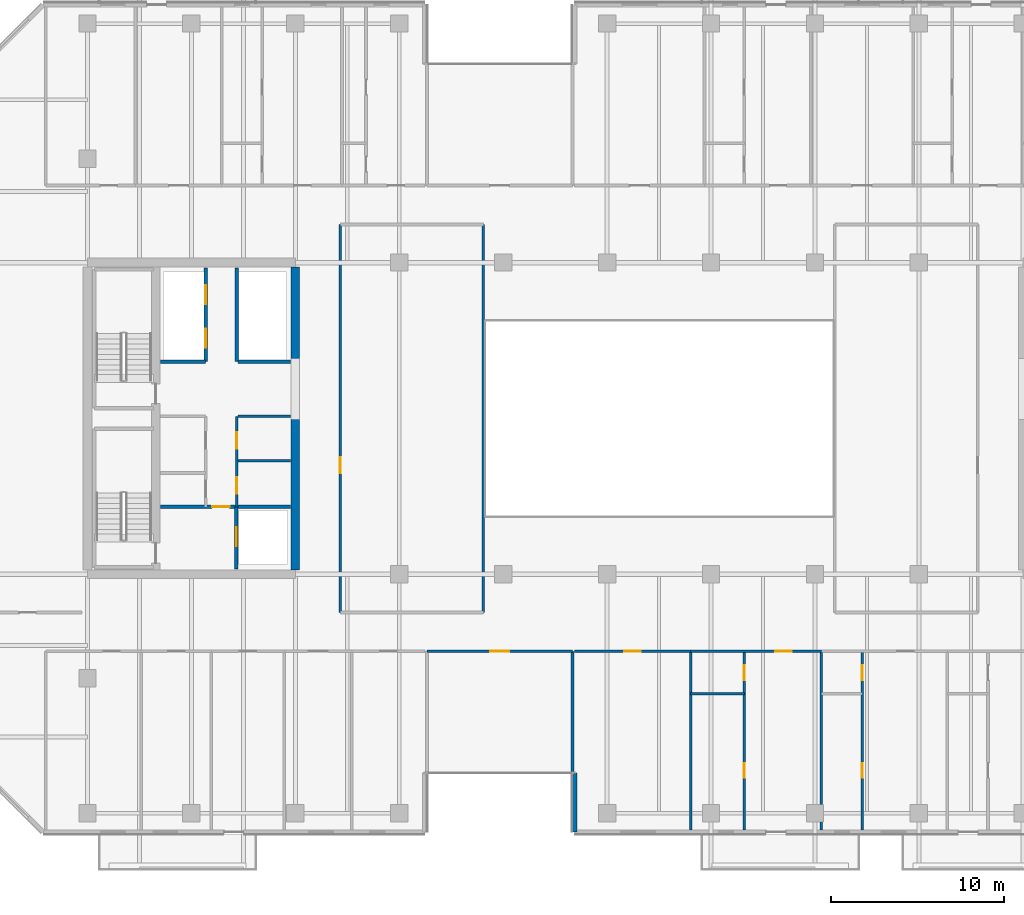
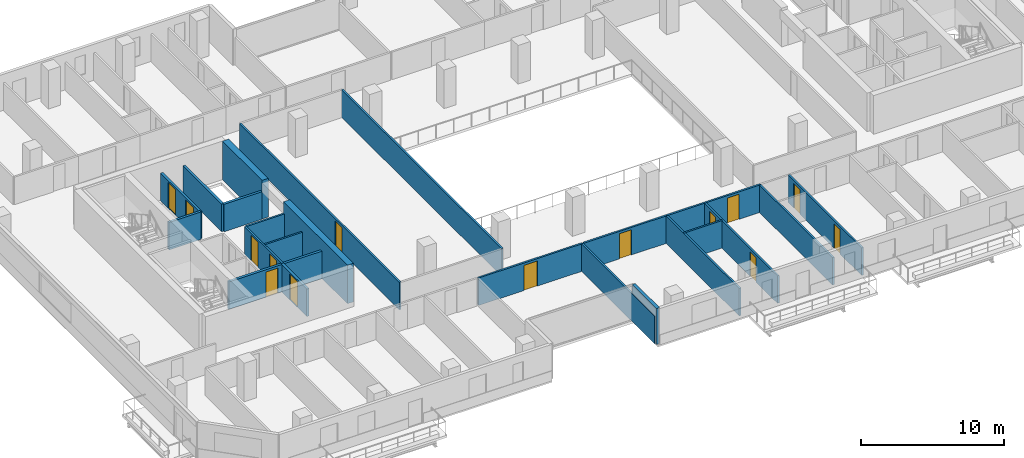
# One storey, part 11 of 23: 23 walls, 14 doors, 14 openings.
"""IFC4 building model written with IfcOpenShell, lengths in metres."""

from ifc_helpers import new_model, si_unit, direction, frame, frame_2d, origin, place, context, subcontext, project, spatial, rectangle, extrude, material, layer, layer_set, type_object, element, fill, save


model = new_model("IFC4")

# Units and contexts
model_context = context("Model", 3, precision=1e-05, world=origin(), true_north=direction((0.0, 1.0)))
body_context = subcontext(model_context, "Body", "Model", "MODEL_VIEW")
ifc_project = project(units=[si_unit("LENGTHUNIT", "METRE"), si_unit("AREAUNIT", "SQUARE_METRE"), si_unit("VOLUMEUNIT", "CUBIC_METRE"), si_unit("PLANEANGLEUNIT", "RADIAN"), si_unit("MASSUNIT", "GRAM", prefix="KILO")], contexts=[model_context])

# Site, building, storey
site_placement = place(None, origin())
site = spatial("IfcSite", under=ifc_project, at=site_placement, CompositionType="ELEMENT")
building_placement = place(site_placement, origin())
building = spatial("IfcBuilding", under=site, at=building_placement, Name="Tanjung Sevakor Pilgrim Tower", CompositionType="ELEMENT")
storey_placement = place(building_placement, frame((0.0, 0.0, 101.969970703125)))
storey = spatial("IfcBuildingStorey", under=building, at=storey_placement, Name="L28", CompositionType="ELEMENT", Elevation=101.969970703125)

# Walls
ifc_material_1 = material(Name="Concrete C60/75", Category="concrete")
ifc_layer_1 = layer(ifc_material_1, 0.5)
ifc_layer_set_1 = layer_set([ifc_layer_1], Name="WALL-CW-500")
wall_type_1 = type_object("IfcWallType", Name="WALL-CW-500", PredefinedType="SHEAR", material=ifc_layer_set_1)
wall_1_placement = place(storey_placement, frame((36.0, 24.85009765625, 0.0), z_axis=(0.0, 0.0, 1.0), x_axis=(0.0, 1.0, 0.0)))
element("IfcWall", 1, at=wall_1_placement, inside=storey, type_object=wall_type_1, Name="L28 W Core Inner Shear Wall South", PredefinedType="SHEAR", context=body_context, shape_type="SweptSolid", body=[
    extrude(rectangle(XDim=8.949951171875, YDim=0.5, at=frame_2d((4.47509765625, 0.0))), origin(), (0.0, 0.0, 1.0), 3.300048828125),
])
wall_2_placement = place(storey_placement, frame((36.0, 36.800048828125, 0.0), z_axis=(0.0, 0.0, 1.0), x_axis=(0.0, 1.0, 0.0)))
element("IfcWall", 2, at=wall_2_placement, inside=storey, type_object=wall_type_1, Name="L28 W Core Inner Shear Wall North", PredefinedType="SHEAR", context=body_context, shape_type="SweptSolid", body=[
    extrude(rectangle(XDim=5.550048828125, YDim=0.5, at=frame_2d((2.77490234375, 0.0))), origin(), (0.0, 0.0, 1.0), 3.300048828125),
])
ifc_material_2 = material(Name="Concrete C40/50", Category="concrete")
ifc_layer_2 = layer(ifc_material_2, 0.14990234375)
ifc_layer_set_2 = layer_set([ifc_layer_2], Name="WT-COMP-150")
wall_type_2 = type_object("IfcWallType", Name="WT-COMP-150", PredefinedType="SOLIDWALL", material=ifc_layer_set_2)
for number, where, z_axis, x_axis, name in (
    (3, (32.679931640625, 31.14990234375, 0.0), (0.0, 0.0, 1.0), (1.0, 0.0, 0.0), "L28 Partition IW-L28-006"),
    (4, (32.679931640625, 33.719970703125, 0.0), (0.0, 0.0, 1.0), (1.0, 0.0, 0.0), "L28 Partition IW-L28-007"),
):
    element("IfcWall", number, at=place(storey_placement, frame(where, z_axis=z_axis, x_axis=x_axis)), inside=storey, type_object=wall_type_2, Name=name, PredefinedType="SOLIDWALL", context=body_context, shape_type="SweptSolid", body=[
        extrude(rectangle(XDim=3.050048828125, YDim=0.14990234375, at=frame_2d((1.52490234375, 0.0))), origin(), (0.0, 0.0, 1.0), 2.35009765625),
    ])

# Wall, openings, doors
wall_3_placement = place(storey_placement, frame((32.6201171875, 28.5, 0.0), z_axis=(0.0, 0.0, 1.0), x_axis=(0.0, 1.0, 0.0)))
wall_3 = element("IfcWall", 5, at=wall_3_placement, inside=storey, type_object=wall_type_2, Name="L28 Partition IW-L28-008", PredefinedType="SOLIDWALL", context=body_context, shape_type="SweptSolid", body=[
    extrude(rectangle(XDim=5.219970703125, YDim=0.14990234375, at=frame_2d((2.60986328125, 0.0))), origin(), (0.0, 0.0, 1.0), 2.35009765625),
])
opening_1_placement = place(wall_3_placement, frame((0.75, 0.0, 0.0)))
opening_1 = element("IfcOpeningElement", 6, at=opening_1_placement, cuts=wall_3, Name="Opening ID-FD2", PredefinedType="OPENING", context=body_context, shape_type="SweptSolid", body=[
    extrude(rectangle(XDim=0.949951171875, YDim=2.14990234375, at=frame_2d((0.47509765625, 1.074951171875))), frame((0.0, 0.0849609375, 0.0), z_axis=(0.0, -1.0, 0.0), x_axis=(1.0, 0.0, 0.0)), (0.0, 0.0, 1.0), 0.169921875),
])
opening_2_placement = place(wall_3_placement, frame((3.35009765625, 0.0, 0.0)))
opening_2 = element("IfcOpeningElement", 7, at=opening_2_placement, cuts=wall_3, Name="Opening ID-FD2", PredefinedType="OPENING", context=body_context, shape_type="SweptSolid", body=[
    extrude(rectangle(XDim=0.949951171875, YDim=2.14990234375, at=frame_2d((0.47509765625, 1.074951171875))), frame((0.0, 0.0849609375, 0.0), z_axis=(0.0, -1.0, 0.0), x_axis=(1.0, 0.0, 0.0)), (0.0, 0.0, 1.0), 0.169921875),
])
ifc_material_3 = material(Name="Fire-Rated Timber", Category="wood")
door_type_1 = type_object("IfcDoorType", Name="DT-FIRE-950", OperationType="NOTDEFINED", PredefinedType="DOOR", material=ifc_material_3)
door_1_placement = place(opening_1_placement, origin())
door_1 = element("IfcDoor", 8, at=door_1_placement, inside=storey, type_object=door_type_1, Name="L28 Accessible WC Door", OperationType="SINGLE_SWING_RIGHT", OverallHeight=2.14990234375, OverallWidth=0.949951171875, PredefinedType="DOOR", context=body_context, shape_type="SweptSolid", body=[
    extrude(rectangle(XDim=0.949951171875, YDim=2.14990234375, at=frame_2d((0.47509765625, 1.074951171875))), frame((0.0, 0.02490234375, 0.0), z_axis=(0.0, -1.0, 0.0), x_axis=(1.0, 0.0, 0.0)), (0.0, 0.0, 1.0), 0.050048828125),
])
fill(opening_1, door_1)
door_2_placement = place(opening_2_placement, origin())
door_2 = element("IfcDoor", 9, at=door_2_placement, inside=storey, type_object=door_type_1, Name="L28 Core Service Door", OperationType="SINGLE_SWING_LEFT", OverallHeight=2.14990234375, OverallWidth=0.949951171875, PredefinedType="DOOR", context=body_context, shape_type="SweptSolid", body=[
    extrude(rectangle(XDim=0.949951171875, YDim=2.14990234375, at=frame_2d((0.47509765625, 1.074951171875))), frame((0.0, 0.02490234375, 0.0), z_axis=(0.0, -1.0, 0.0), x_axis=(1.0, 0.0, 0.0)), (0.0, 0.0, 1.0), 0.050048828125),
])
fill(opening_2, door_2)

# Wall, opening, door
wall_4_placement = place(storey_placement, frame((38.60009765625, 22.39990234375, 0.0), z_axis=(0.0, 0.0, 1.0), x_axis=(0.0, 1.0, 0.0)))
wall_4 = element("IfcWall", 10, at=wall_4_placement, inside=storey, type_object=wall_type_2, Name="L28 Partition IW-L28-027", PredefinedType="SOLIDWALL", context=body_context, shape_type="SweptSolid", body=[
    extrude(rectangle(XDim=22.400146484375, YDim=0.14990234375, at=frame_2d((11.2001953125, 0.0))), origin(), (0.0, 0.0, 1.0), 2.35009765625),
])
opening_3_placement = place(wall_4_placement, frame((8.02490234375, 0.0, 0.0)))
opening_3 = element("IfcOpeningElement", 11, at=opening_3_placement, cuts=wall_4, Name="Opening ID-RM1", PredefinedType="OPENING", context=body_context, shape_type="SweptSolid", body=[
    extrude(rectangle(XDim=0.949951171875, YDim=2.14990234375, at=frame_2d((0.47509765625, 1.074951171875))), frame((0.0, 0.0849609375, 0.0), z_axis=(0.0, -1.0, 0.0), x_axis=(1.0, 0.0, 0.0)), (0.0, 0.0, 1.0), 0.169921875),
])
ifc_material_4 = material(Name="Hardwood Timber", Category="wood")
door_type_2 = type_object("IfcDoorType", Name="DT-INT-950", OperationType="NOTDEFINED", PredefinedType="DOOR", material=ifc_material_4)
door_3_placement = place(opening_3_placement, origin())
door_3 = element("IfcDoor", 12, at=door_3_placement, inside=storey, type_object=door_type_2, Name="L28 Central West Room Door", OperationType="SINGLE_SWING_RIGHT", OverallHeight=2.14990234375, OverallWidth=0.949951171875, PredefinedType="DOOR", context=body_context, shape_type="SweptSolid", body=[
    extrude(rectangle(XDim=0.949951171875, YDim=2.14990234375, at=frame_2d((0.47509765625, 1.074951171875))), frame((0.0, 0.02490234375, 0.0), z_axis=(0.0, -1.0, 0.0), x_axis=(1.0, 0.0, 0.0)), (0.0, 0.0, 1.0), 0.050048828125),
])
fill(opening_3, door_3)

# Wall
wall_5_placement = place(storey_placement, frame((46.85009765625, 22.39990234375, 0.0), z_axis=(0.0, 0.0, 1.0), x_axis=(0.0, 1.0, 0.0)))
element("IfcWall", 13, at=wall_5_placement, inside=storey, type_object=wall_type_2, Name="L28 Partition IW-L28-028", PredefinedType="SOLIDWALL", context=body_context, shape_type="SweptSolid", body=[
    extrude(rectangle(XDim=22.400146484375, YDim=0.14990234375, at=frame_2d((11.2001953125, 0.0))), origin(), (0.0, 0.0, 1.0), 2.35009765625),
])

# Wall, opening, door
wall_6_placement = place(storey_placement, frame((43.60009765625, 20.14990234375, 0.0), z_axis=(0.0, 0.0, 1.0), x_axis=(1.0, 0.0, 0.0)))
wall_6 = element("IfcWall", 14, at=wall_6_placement, inside=storey, type_object=wall_type_2, Name="L28 Partition IW-L28-041", PredefinedType="SOLIDWALL", context=body_context, shape_type="SweptSolid", body=[
    extrude(rectangle(XDim=8.39990234375, YDim=0.14990234375, at=frame_2d((4.199951171875, 0.0))), origin(), (0.0, 0.0, 1.0), 2.35009765625),
])
opening_4_placement = place(wall_6_placement, frame((3.64990234375, 0.0, 0.0)))
opening_4 = element("IfcOpeningElement", 15, at=opening_4_placement, cuts=wall_6, Name="Opening ID-RM2", PredefinedType="OPENING", context=body_context, shape_type="SweptSolid", body=[
    extrude(rectangle(XDim=1.10009765625, YDim=2.14990234375, at=frame_2d((0.550048828125, 1.074951171875))), frame((0.0, 0.0849609375, 0.0), z_axis=(0.0, -1.0, 0.0), x_axis=(1.0, 0.0, 0.0)), (0.0, 0.0, 1.0), 0.169921875),
])
ifc_material_5 = material(Name="Hardwood Timber", Category="wood")
door_type_3 = type_object("IfcDoorType", Name="DT-INT-1100", OperationType="NOTDEFINED", PredefinedType="DOOR", material=ifc_material_5)
door_4_placement = place(opening_4_placement, origin())
door_4 = element("IfcDoor", 16, at=door_4_placement, inside=storey, type_object=door_type_3, Name="L28 South Cleft Tea Sanctuary Door", OperationType="SINGLE_SWING_RIGHT", OverallHeight=2.14990234375, OverallWidth=1.10009765625, PredefinedType="DOOR", context=body_context, shape_type="SweptSolid", body=[
    extrude(rectangle(XDim=1.10009765625, YDim=2.14990234375, at=frame_2d((0.550048828125, 1.074951171875))), frame((0.0, 0.02490234375, 0.0), z_axis=(0.0, -1.0, 0.0), x_axis=(1.0, 0.0, 0.0)), (0.0, 0.0, 1.0), 0.050048828125),
])
fill(opening_4, door_4)

# Walls
for number, where, z_axis, x_axis, name in (
    (17, (52.0, 9.85009765625, 0.0), (0.0, 0.0, 1.0), (0.0, 1.0, 0.0), "L28 Partition IW-L28-043"),
    (18, (58.827880859375, 9.85009765625, 0.0), (0.0, 0.0, 1.0), (0.0, 1.0, 0.0), "L28 Partition IW-L28-058"),
):
    element("IfcWall", number, at=place(storey_placement, frame(where, z_axis=z_axis, x_axis=x_axis)), inside=storey, type_object=wall_type_2, Name=name, PredefinedType="SOLIDWALL", context=body_context, shape_type="SweptSolid", body=[
        extrude(rectangle(XDim=10.2998046875, YDim=0.14990234375, at=frame_2d((5.14990234375, 0.0))), origin(), (0.0, 0.0, 1.0), 2.35009765625),
    ])

# Wall, opening, door
wall_7_placement = place(storey_placement, frame((52.1201171875, 20.14990234375, 0.0), z_axis=(0.0, 0.0, 1.0), x_axis=(1.0, 0.0, 0.0)))
wall_7 = element("IfcWall", 19, at=wall_7_placement, inside=storey, type_object=wall_type_2, Name="L28 Partition IW-L28-059", PredefinedType="SOLIDWALL", context=body_context, shape_type="SweptSolid", body=[
    extrude(rectangle(XDim=6.707763671875, YDim=0.14990234375, at=frame_2d((3.35400390625, 0.0))), origin(), (0.0, 0.0, 1.0), 2.35009765625),
])
opening_5_placement = place(wall_7_placement, frame((2.87890625, 0.0, 0.0)))
opening_5 = element("IfcOpeningElement", 20, at=opening_5_placement, cuts=wall_7, Name="Opening ID-FD2", PredefinedType="OPENING", context=body_context, shape_type="SweptSolid", body=[
    extrude(rectangle(XDim=0.949951171875, YDim=2.14990234375, at=frame_2d((0.47509765625, 1.074951171875))), frame((0.0, 0.0849609375, 0.0), z_axis=(0.0, -1.0, 0.0), x_axis=(1.0, 0.0, 0.0)), (0.0, 0.0, 1.0), 0.169921875),
])
door_5_placement = place(opening_5_placement, origin())
door_5 = element("IfcDoor", 21, at=door_5_placement, inside=storey, type_object=door_type_1, Name="Housekeeping Pantry Door", OperationType="SINGLE_SWING_LEFT", OverallHeight=2.14990234375, OverallWidth=0.949951171875, PredefinedType="DOOR", context=body_context, shape_type="SweptSolid", body=[
    extrude(rectangle(XDim=0.949951171875, YDim=2.14990234375, at=frame_2d((0.47509765625, 1.074951171875))), frame((0.0, 0.02490234375, 0.0), z_axis=(0.0, -1.0, 0.0), x_axis=(1.0, 0.0, 0.0)), (0.0, 0.0, 1.0), 0.050048828125),
])
fill(opening_5, door_5)

# Wall
wall_8_placement = place(storey_placement, frame((66.3740234375, 9.85009765625, 0.0), z_axis=(0.0, 0.0, 1.0), x_axis=(0.0, 1.0, 0.0)))
element("IfcWall", 22, at=wall_8_placement, inside=storey, type_object=wall_type_2, Name="L28 Partition IW-L28-060", PredefinedType="SOLIDWALL", context=body_context, shape_type="SweptSolid", body=[
    extrude(rectangle(XDim=10.2998046875, YDim=0.14990234375, at=frame_2d((5.14990234375, 0.0))), origin(), (0.0, 0.0, 1.0), 2.35009765625),
])

# Wall, opening, door
wall_9_placement = place(storey_placement, frame((58.827880859375, 20.14990234375, 0.0), z_axis=(0.0, 0.0, 1.0), x_axis=(1.0, 0.0, 0.0)))
wall_9 = element("IfcWall", 23, at=wall_9_placement, inside=storey, type_object=wall_type_2, Name="L28 Partition IW-L28-063", PredefinedType="SOLIDWALL", context=body_context, shape_type="SweptSolid", body=[
    extrude(rectangle(XDim=7.546142578125, YDim=0.14990234375, at=frame_2d((3.77294921875, 0.0))), origin(), (0.0, 0.0, 1.0), 2.35009765625),
])
opening_6_placement = place(wall_9_placement, frame((4.88427734375, 0.0, 0.0)))
opening_6 = element("IfcOpeningElement", 24, at=opening_6_placement, cuts=wall_9, Name="Opening ID-FD2", PredefinedType="OPENING", context=body_context, shape_type="SweptSolid", body=[
    extrude(rectangle(XDim=0.949951171875, YDim=2.14990234375, at=frame_2d((0.47509765625, 1.074951171875))), frame((0.0, 0.0849609375, 0.0), z_axis=(0.0, -1.0, 0.0), x_axis=(1.0, 0.0, 0.0)), (0.0, 0.0, 1.0), 0.169921875),
])
door_6_placement = place(opening_6_placement, origin())
door_6 = element("IfcDoor", 25, at=door_6_placement, inside=storey, type_object=door_type_1, Name="Hostel Quad Entrance", OperationType="SINGLE_SWING_RIGHT", OverallHeight=2.14990234375, OverallWidth=0.949951171875, PredefinedType="DOOR", context=body_context, shape_type="SweptSolid", body=[
    extrude(rectangle(XDim=0.949951171875, YDim=2.14990234375, at=frame_2d((0.47509765625, 1.074951171875))), frame((0.0, 0.02490234375, 0.0), z_axis=(0.0, -1.0, 0.0), x_axis=(1.0, 0.0, 0.0)), (0.0, 0.0, 1.0), 0.050048828125),
])
fill(opening_6, door_6)

# Wall
ifc_material_6 = material(Name="Precast concrete C45/55", Category="concrete")
ifc_layer_3 = layer(ifc_material_6, 0.25)
ifc_layer_set_3 = layer_set([ifc_layer_3], Name="WT-EW-STN3")
wall_type_3 = type_object("IfcWallType", Name="WT-EW-STN3", PredefinedType="SOLIDWALL", material=ifc_layer_set_3)
wall_10_placement = place(storey_placement, frame((52.125, 13.125, 0.0), z_axis=(0.0, 0.0, 1.0), x_axis=(0.0, -1.0, 0.0)))
element("IfcWall", 26, at=wall_10_placement, inside=storey, type_object=wall_type_3, Name="L28 MAIN Exterior Wall 4", PredefinedType="SOLIDWALL", context=body_context, shape_type="SweptSolid", body=[
    extrude(rectangle(XDim=3.39990234375, YDim=0.25, at=frame_2d((1.699951171875, 0.0))), origin(), (0.0, 0.0, 1.0), 3.080078125),
])

# Wall, opening, door
ifc_material_7 = material(Name="Concrete C40/50", Category="concrete")
ifc_layer_4 = layer(ifc_material_7, 0.199951171875)
ifc_layer_set_4 = layer_set([ifc_layer_4], Name="WT-FPRT-200")
wall_type_4 = type_object("IfcWallType", Name="WT-FPRT-200", PredefinedType="SOLIDWALL", material=ifc_layer_set_4)
wall_11_placement = place(storey_placement, frame((32.60009765625, 24.919921875, 0.0), z_axis=(0.0, 0.0, 1.0), x_axis=(0.0, 1.0, 0.0)))
wall_11 = element("IfcWall", 27, at=wall_11_placement, inside=storey, type_object=wall_type_4, Name="L28 Partition IW-L28-001", PredefinedType="SOLIDWALL", context=body_context, shape_type="SweptSolid", body=[
    extrude(rectangle(XDim=3.580078125, YDim=0.199951171875, at=frame_2d((1.7900390625, 0.0))), origin(), (0.0, 0.0, 1.0), 2.35009765625),
])
opening_7_placement = place(wall_11_placement, frame((1.300048828125, 0.0, 0.0)))
opening_7 = element("IfcOpeningElement", 28, at=opening_7_placement, cuts=wall_11, Name="Opening LD-1100", PredefinedType="OPENING", context=body_context, shape_type="SweptSolid", body=[
    extrude(rectangle(XDim=1.10009765625, YDim=2.199951171875, at=frame_2d((0.550048828125, 1.10009765625))), frame((0.0, 0.10986328125, 0.0), z_axis=(0.0, -1.0, 0.0), x_axis=(1.0, 0.0, 0.0)), (0.0, 0.0, 1.0), 0.219970703125),
])
ifc_material_8 = material(Name="Brushed Stainless Steel S355J2", Category="steel")
door_type_4 = type_object("IfcDoorType", Name="DT-LIFT-1100", OperationType="SLIDING_TO_LEFT", PredefinedType="DOOR", material=ifc_material_8)
door_7_placement = place(opening_7_placement, origin())
door_7 = element("IfcDoor", 29, at=door_7_placement, inside=storey, type_object=door_type_4, Name="LD-FL-W", OperationType="SLIDING_TO_LEFT", OverallHeight=2.199951171875, OverallWidth=1.10009765625, PredefinedType="DOOR", context=body_context, shape_type="SweptSolid", body=[
    extrude(rectangle(XDim=1.10009765625, YDim=2.199951171875, at=frame_2d((0.550048828125, 1.10009765625))), frame((0.0, 0.02490234375, 0.0), z_axis=(0.0, -1.0, 0.0), x_axis=(1.0, 0.0, 0.0)), (0.0, 0.0, 1.0), 0.050048828125),
])
fill(opening_7, door_7)

wall_12_placement = place(storey_placement, frame((28.219970703125, 28.5, 0.0), z_axis=(0.0, 0.0, 1.0), x_axis=(1.0, 0.0, 0.0)))
wall_12 = element("IfcWall", 30, at=wall_12_placement, inside=storey, type_object=wall_type_4, Name="L28 Partition IW-L28-002", PredefinedType="SOLIDWALL", context=body_context, shape_type="SweptSolid", body=[
    extrude(rectangle(XDim=7.510009765625, YDim=0.199951171875, at=frame_2d((3.7548828125, 0.0))), origin(), (0.0, 0.0, 1.0), 2.35009765625),
])
opening_8_placement = place(wall_12_placement, frame((2.97998046875, 0.0, 0.0)))
opening_8 = element("IfcOpeningElement", 31, at=opening_8_placement, cuts=wall_12, Name="Opening ID-FD1", PredefinedType="OPENING", context=body_context, shape_type="SweptSolid", body=[
    extrude(rectangle(XDim=1.0, YDim=2.14990234375, at=frame_2d((0.5, 1.074951171875))), frame((0.0, 0.10986328125, 0.0), z_axis=(0.0, -1.0, 0.0), x_axis=(1.0, 0.0, 0.0)), (0.0, 0.0, 1.0), 0.219970703125),
])
ifc_material_9 = material(Name="Fire-Rated Steel S355J2", Category="steel")
door_type_5 = type_object("IfcDoorType", Name="DT-FIRE-1000", OperationType="NOTDEFINED", PredefinedType="DOOR", material=ifc_material_9)
door_8_placement = place(opening_8_placement, origin())
door_8 = element("IfcDoor", 32, at=door_8_placement, inside=storey, type_object=door_type_5, Name="Fire Lobby Door W", OperationType="SINGLE_SWING_LEFT", OverallHeight=2.14990234375, OverallWidth=1.0, PredefinedType="DOOR", context=body_context, shape_type="SweptSolid", body=[
    extrude(rectangle(XDim=1.0, YDim=2.14990234375, at=frame_2d((0.5, 1.074951171875))), frame((0.0, 0.02490234375, 0.0), z_axis=(0.0, -1.0, 0.0), x_axis=(1.0, 0.0, 0.0)), (0.0, 0.0, 1.0), 0.050048828125),
])
fill(opening_8, door_8)

# Wall
wall_13_placement = place(storey_placement, frame((28.219970703125, 36.8798828125, 0.0), z_axis=(0.0, 0.0, 1.0), x_axis=(1.0, 0.0, 0.0)))
element("IfcWall", 33, at=wall_13_placement, inside=storey, type_object=wall_type_4, Name="L28 Partition IW-L28-009", PredefinedType="SOLIDWALL", context=body_context, shape_type="SweptSolid", body=[
    extrude(rectangle(XDim=2.580078125, YDim=0.199951171875, at=frame_2d((1.2900390625, 0.0))), origin(), (0.0, 0.0, 1.0), 2.35009765625),
])

# Wall, openings, doors
wall_14_placement = place(storey_placement, frame((30.820068359375, 36.8798828125, 0.0), z_axis=(0.0, 0.0, 1.0), x_axis=(0.0, 1.0, 0.0)))
wall_14 = element("IfcWall", 34, at=wall_14_placement, inside=storey, type_object=wall_type_4, Name="L28 Partition IW-L28-010", PredefinedType="SOLIDWALL", context=body_context, shape_type="SweptSolid", body=[
    extrude(rectangle(XDim=5.420166015625, YDim=0.199951171875, at=frame_2d((2.7099609375, 0.0))), origin(), (0.0, 0.0, 1.0), 2.35009765625),
])
opening_9_placement = place(wall_14_placement, frame((0.800048828125, 0.0, 0.0)))
opening_9 = element("IfcOpeningElement", 35, at=opening_9_placement, cuts=wall_14, Name="Opening LD-1100", PredefinedType="OPENING", context=body_context, shape_type="SweptSolid", body=[
    extrude(rectangle(XDim=1.10009765625, YDim=2.199951171875, at=frame_2d((0.550048828125, 1.10009765625))), frame((0.0, 0.10986328125, 0.0), z_axis=(0.0, -1.0, 0.0), x_axis=(1.0, 0.0, 0.0)), (0.0, 0.0, 1.0), 0.219970703125),
])
opening_10_placement = place(wall_14_placement, frame((3.300048828125, 0.0, 0.0)))
opening_10 = element("IfcOpeningElement", 36, at=opening_10_placement, cuts=wall_14, Name="Opening LD-1100", PredefinedType="OPENING", context=body_context, shape_type="SweptSolid", body=[
    extrude(rectangle(XDim=1.10009765625, YDim=2.199951171875, at=frame_2d((0.550048828125, 1.10009765625))), frame((0.0, 0.10986328125, 0.0), z_axis=(0.0, -1.0, 0.0), x_axis=(1.0, 0.0, 0.0)), (0.0, 0.0, 1.0), 0.219970703125),
])
door_9_placement = place(opening_9_placement, origin())
door_9 = element("IfcDoor", 37, at=door_9_placement, inside=storey, type_object=door_type_4, Name="LD-PLM1-W", OperationType="SLIDING_TO_LEFT", OverallHeight=2.199951171875, OverallWidth=1.10009765625, PredefinedType="DOOR", context=body_context, shape_type="SweptSolid", body=[
    extrude(rectangle(XDim=1.10009765625, YDim=2.199951171875, at=frame_2d((0.550048828125, 1.10009765625))), frame((0.0, 0.02490234375, 0.0), z_axis=(0.0, -1.0, 0.0), x_axis=(1.0, 0.0, 0.0)), (0.0, 0.0, 1.0), 0.050048828125),
])
fill(opening_9, door_9)
door_10_placement = place(opening_10_placement, origin())
door_10 = element("IfcDoor", 38, at=door_10_placement, inside=storey, type_object=door_type_4, Name="LD-PLM2-W", OperationType="SLIDING_TO_RIGHT", OverallHeight=2.199951171875, OverallWidth=1.10009765625, PredefinedType="DOOR", context=body_context, shape_type="SweptSolid", body=[
    extrude(rectangle(XDim=1.10009765625, YDim=2.199951171875, at=frame_2d((0.550048828125, 1.10009765625))), frame((0.0, 0.02490234375, 0.0), z_axis=(0.0, -1.0, 0.0), x_axis=(1.0, 0.0, 0.0)), (0.0, 0.0, 1.0), 0.050048828125),
])
fill(opening_10, door_10)

# Walls
wall_15_placement = place(storey_placement, frame((32.679931640625, 36.8798828125, 0.0), z_axis=(0.0, 0.0, 1.0), x_axis=(1.0, 0.0, 0.0)))
element("IfcWall", 39, at=wall_15_placement, inside=storey, type_object=wall_type_4, Name="L28 Partition IW-L28-011", PredefinedType="SOLIDWALL", context=body_context, shape_type="SweptSolid", body=[
    extrude(rectangle(XDim=3.050048828125, YDim=0.199951171875, at=frame_2d((1.52490234375, 0.0))), origin(), (0.0, 0.0, 1.0), 2.35009765625),
])
wall_16_placement = place(storey_placement, frame((32.6201171875, 36.8798828125, 0.0), z_axis=(0.0, 0.0, 1.0), x_axis=(0.0, 1.0, 0.0)))
element("IfcWall", 40, at=wall_16_placement, inside=storey, type_object=wall_type_4, Name="L28 Partition IW-L28-012", PredefinedType="SOLIDWALL", context=body_context, shape_type="SweptSolid", body=[
    extrude(rectangle(XDim=5.420166015625, YDim=0.199951171875, at=frame_2d((2.7099609375, 0.0))), origin(), (0.0, 0.0, 1.0), 2.35009765625),
])
ifc_material_10 = material(Name="Gypsum Board Partition", Category="gypsum board")
ifc_layer_5 = layer(ifc_material_10, 0.14990234375)
ifc_layer_set_5 = layer_set([ifc_layer_5], Name="WT-PART-150")
wall_type_5 = type_object("IfcWallType", Name="WT-PART-150", PredefinedType="PARTITIONING", material=ifc_layer_set_5)
wall_17_placement = place(storey_placement, frame((58.827880859375, 17.699951171875, 0.0), z_axis=(0.0, 0.0, 1.0), x_axis=(1.0, 0.0, 0.0)))
element("IfcWall", 41, at=wall_17_placement, inside=storey, type_object=wall_type_5, Name="L28 Partition IW-L28-061", PredefinedType="PARTITIONING", context=body_context, shape_type="SweptSolid", body=[
    extrude(rectangle(XDim=3.092041015625, YDim=0.14990234375, at=frame_2d((1.5458984375, 0.0))), origin(), (0.0, 0.0, 1.0), 2.35009765625),
])

# Wall, openings, doors
wall_18_placement = place(storey_placement, frame((61.919921875, 9.85009765625, 0.0), z_axis=(0.0, 0.0, 1.0), x_axis=(0.0, 1.0, 0.0)))
wall_18 = element("IfcWall", 42, at=wall_18_placement, inside=storey, type_object=wall_type_5, Name="L28 Partition IW-L28-062", PredefinedType="PARTITIONING", context=body_context, shape_type="SweptSolid", body=[
    extrude(rectangle(XDim=10.2998046875, YDim=0.14990234375, at=frame_2d((5.14990234375, 0.0))), origin(), (0.0, 0.0, 1.0), 2.35009765625),
])
opening_11_placement = place(wall_18_placement, frame((3.0, 0.0, 0.0)))
opening_11 = element("IfcOpeningElement", 43, at=opening_11_placement, cuts=wall_18, Name="Opening ID-WC1", PredefinedType="OPENING", context=body_context, shape_type="SweptSolid", body=[
    extrude(rectangle(XDim=0.85009765625, YDim=2.10009765625, at=frame_2d((0.425048828125, 1.050048828125))), frame((0.0, 0.0849609375, 0.0), z_axis=(0.0, -1.0, 0.0), x_axis=(1.0, 0.0, 0.0)), (0.0, 0.0, 1.0), 0.169921875),
])
opening_12_placement = place(wall_18_placement, frame((8.64990234375, 0.0, 0.0)))
opening_12 = element("IfcOpeningElement", 44, at=opening_12_placement, cuts=wall_18, Name="Opening ID-WC1", PredefinedType="OPENING", context=body_context, shape_type="SweptSolid", body=[
    extrude(rectangle(XDim=0.85009765625, YDim=2.10009765625, at=frame_2d((0.425048828125, 1.050048828125))), frame((0.0, 0.0849609375, 0.0), z_axis=(0.0, -1.0, 0.0), x_axis=(1.0, 0.0, 0.0)), (0.0, 0.0, 1.0), 0.169921875),
])
ifc_material_11 = material(Name="Moisture-Resistant Timber", Category="wood")
door_type_6 = type_object("IfcDoorType", Name="DT-INT-850", OperationType="NOTDEFINED", PredefinedType="DOOR", material=ifc_material_11)
door_11_placement = place(opening_11_placement, origin())
door_11 = element("IfcDoor", 45, at=door_11_placement, inside=storey, type_object=door_type_6, Name="Study Nook Door", OperationType="SINGLE_SWING_RIGHT", OverallHeight=2.10009765625, OverallWidth=0.85009765625, PredefinedType="DOOR", context=body_context, shape_type="SweptSolid", body=[
    extrude(rectangle(XDim=0.85009765625, YDim=2.10009765625, at=frame_2d((0.425048828125, 1.050048828125))), frame((0.0, 0.02490234375, 0.0), z_axis=(0.0, -1.0, 0.0), x_axis=(1.0, 0.0, 0.0)), (0.0, 0.0, 1.0), 0.050048828125),
])
fill(opening_11, door_11)
door_12_placement = place(opening_12_placement, origin())
door_12 = element("IfcDoor", 46, at=door_12_placement, inside=storey, type_object=door_type_6, Name="Bathroom Door", OperationType="SINGLE_SWING_LEFT", OverallHeight=2.10009765625, OverallWidth=0.85009765625, PredefinedType="DOOR", context=body_context, shape_type="SweptSolid", body=[
    extrude(rectangle(XDim=0.85009765625, YDim=2.10009765625, at=frame_2d((0.425048828125, 1.050048828125))), frame((0.0, 0.02490234375, 0.0), z_axis=(0.0, -1.0, 0.0), x_axis=(1.0, 0.0, 0.0)), (0.0, 0.0, 1.0), 0.050048828125),
])
fill(opening_12, door_12)

wall_19_placement = place(storey_placement, frame((68.72412109375, 9.85009765625, 0.0), z_axis=(0.0, 0.0, 1.0), x_axis=(0.0, 1.0, 0.0)))
wall_19 = element("IfcWall", 47, at=wall_19_placement, inside=storey, type_object=wall_type_5, Name="L28 Partition IW-L28-066", PredefinedType="PARTITIONING", context=body_context, shape_type="SweptSolid", body=[
    extrude(rectangle(XDim=10.2998046875, YDim=0.14990234375, at=frame_2d((5.14990234375, 0.0))), origin(), (0.0, 0.0, 1.0), 2.35009765625),
])
opening_13_placement = place(wall_19_placement, frame((3.0, 0.0, 0.0)))
opening_13 = element("IfcOpeningElement", 48, at=opening_13_placement, cuts=wall_19, Name="Opening ID-WC1", PredefinedType="OPENING", context=body_context, shape_type="SweptSolid", body=[
    extrude(rectangle(XDim=0.85009765625, YDim=2.10009765625, at=frame_2d((0.425048828125, 1.050048828125))), frame((0.0, 0.0849609375, 0.0), z_axis=(0.0, -1.0, 0.0), x_axis=(1.0, 0.0, 0.0)), (0.0, 0.0, 1.0), 0.169921875),
])
opening_14_placement = place(wall_19_placement, frame((8.64990234375, 0.0, 0.0)))
opening_14 = element("IfcOpeningElement", 49, at=opening_14_placement, cuts=wall_19, Name="Opening ID-WC1", PredefinedType="OPENING", context=body_context, shape_type="SweptSolid", body=[
    extrude(rectangle(XDim=0.85009765625, YDim=2.10009765625, at=frame_2d((0.425048828125, 1.050048828125))), frame((0.0, 0.0849609375, 0.0), z_axis=(0.0, -1.0, 0.0), x_axis=(1.0, 0.0, 0.0)), (0.0, 0.0, 1.0), 0.169921875),
])
door_13_placement = place(opening_13_placement, origin())
door_13 = element("IfcDoor", 50, at=door_13_placement, inside=storey, type_object=door_type_6, Name="Study Nook Door", OperationType="SINGLE_SWING_LEFT", OverallHeight=2.10009765625, OverallWidth=0.85009765625, PredefinedType="DOOR", context=body_context, shape_type="SweptSolid", body=[
    extrude(rectangle(XDim=0.85009765625, YDim=2.10009765625, at=frame_2d((0.425048828125, 1.050048828125))), frame((0.0, 0.02490234375, 0.0), z_axis=(0.0, -1.0, 0.0), x_axis=(1.0, 0.0, 0.0)), (0.0, 0.0, 1.0), 0.050048828125),
])
fill(opening_13, door_13)
door_14_placement = place(opening_14_placement, origin())
door_14 = element("IfcDoor", 51, at=door_14_placement, inside=storey, type_object=door_type_6, Name="Bathroom Door", OperationType="SINGLE_SWING_RIGHT", OverallHeight=2.10009765625, OverallWidth=0.85009765625, PredefinedType="DOOR", context=body_context, shape_type="SweptSolid", body=[
    extrude(rectangle(XDim=0.85009765625, YDim=2.10009765625, at=frame_2d((0.425048828125, 1.050048828125))), frame((0.0, 0.02490234375, 0.0), z_axis=(0.0, -1.0, 0.0), x_axis=(1.0, 0.0, 0.0)), (0.0, 0.0, 1.0), 0.050048828125),
])
fill(opening_14, door_14)

save(model, "model.ifc")
